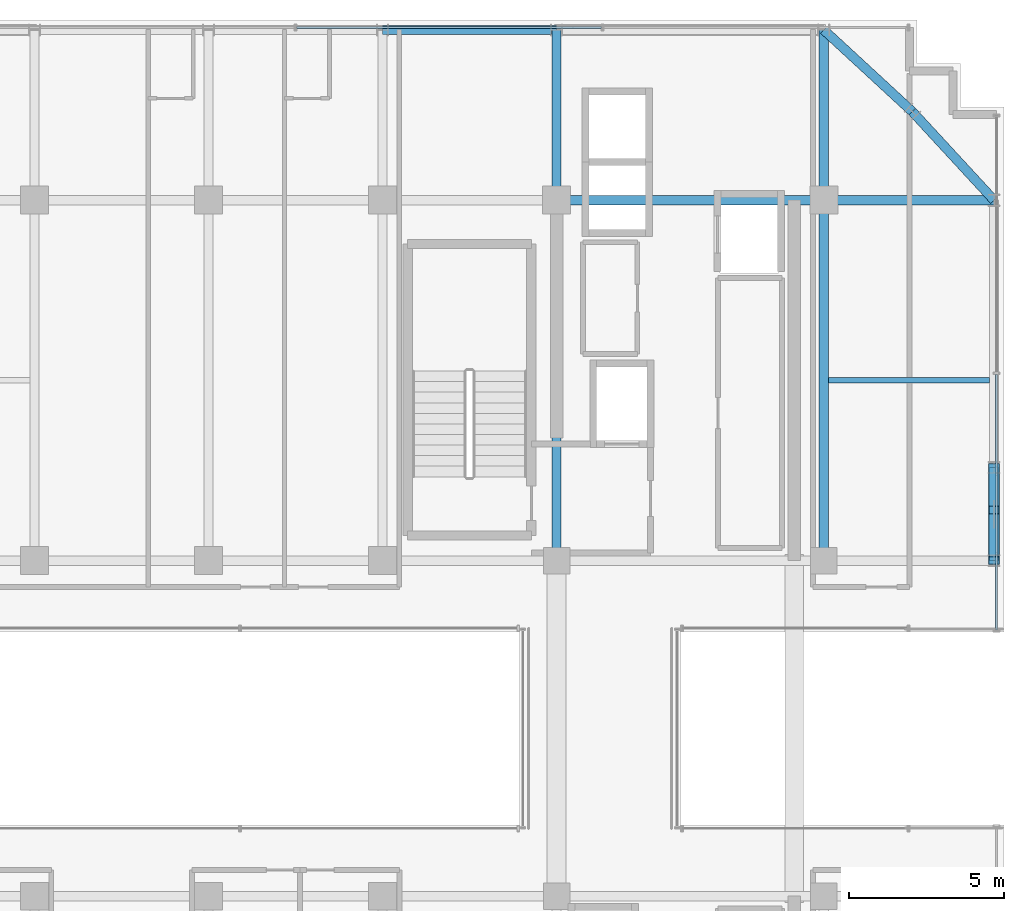
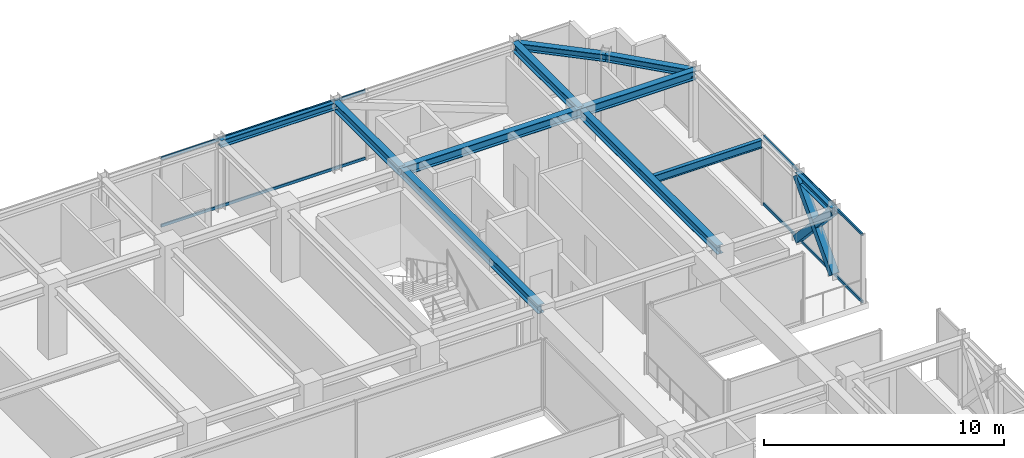
# One storey, part 26 of 37: 11 beams, 7 members, 2 elements without a shape of their own.
"""IFC4 building model written with IfcOpenShell, lengths in metres."""

import ifcopenshell
import ifcopenshell.guid

model = None  # the IFC model being written
_history = None  # IfcOwnerHistory: only IFC2X3 demands one
_inside = {}  # id of a spatial element -> (the spatial element, [elements in it])
_under = {}  # id of a project, library or spatial element -> (it, [spatial elements below it])
_declared = {}  # id of a project -> (the project, [libraries it declares])
_typed = {}  # id of a type object -> (the type object, [elements of that type])
_made_of = {}  # id of a material, layer set ... -> (it, [elements and type objects made of it])


def new_model(schema):
    """Start an empty IFC model of exactly this schema.

    Asked for "IFC4X3", IfcOpenShell would pick the latest addendum, in which some entities
    have other attributes; the version numbers below select the first issue.
    IFC2X3 requires an IfcOwnerHistory on every rooted entity: one is made here for all.
    """
    global model, _history
    if schema == "IFC4X3":
        model = ifcopenshell.file(schema_version=(4, 3, 0, 0))
    else:
        model = ifcopenshell.file(schema=schema)
    _inside.clear()
    _under.clear()
    _declared.clear()
    _typed.clear()
    _made_of.clear()
    _history = None
    if model.schema == "IFC2X3":
        org = make("IfcOrganization", Name="unknown")
        user = make(
            "IfcPersonAndOrganization",
            ThePerson=make("IfcPerson", FamilyName="unknown"),
            TheOrganization=org,
        )
        app = make(
            "IfcApplication",
            ApplicationDeveloper=org,
            Version="unknown",
            ApplicationFullName="unknown",
            ApplicationIdentifier="unknown",
        )
        _history = make(
            "IfcOwnerHistory",
            OwningUser=user,
            OwningApplication=app,
            ChangeAction="ADDED",
            CreationDate=0,
        )
    return model


def make(cls, **values):
    """One entity of the class cls with the attributes given. An attribute that is None is left unset."""
    return model.create_entity(
        cls, **{name: value for name, value in values.items() if value is not None}
    )


def rooted(cls, **values):
    """An entity with a GlobalId (a new one), such as an element, a storey or a relation."""
    return make(cls, GlobalId=ifcopenshell.guid.new(), OwnerHistory=_history, **values)


def si_unit(unit_type, name, prefix=None):
    """IfcSIUnit, for example si_unit("LENGTHUNIT", "METRE", prefix="MILLI")."""
    return make("IfcSIUnit", UnitType=unit_type, Prefix=prefix, Name=name)


def assignment(units):
    """IfcUnitAssignment: the units of a project."""
    return None if units is None else make("IfcUnitAssignment", Units=units)


def point(xyz):
    """IfcCartesianPoint."""
    return None if xyz is None else make("IfcCartesianPoint", Coordinates=xyz)


def direction(xyz):
    """IfcDirection."""
    return None if xyz is None else make("IfcDirection", DirectionRatios=xyz)


def frame(location, z_axis=None, x_axis=None):
    """IfcAxis2Placement3D, a coordinate frame: its origin and axes. An axis left out is left unset."""
    return make(
        "IfcAxis2Placement3D",
        Location=point(location),
        Axis=direction(z_axis),
        RefDirection=direction(x_axis),
    )


def frame_2d(location, x_axis=None):
    """IfcAxis2Placement2D, a coordinate frame in the plane: its origin and x axis."""
    return make(
        "IfcAxis2Placement2D", Location=point(location), RefDirection=direction(x_axis)
    )


def origin():
    """The frame at (0, 0, 0) with its axes left unset."""
    return frame((0.0, 0.0, 0.0))


def origin_2d():
    """The frame at (0, 0) in the plane with its x axis left unset."""
    return frame_2d((0.0, 0.0))


def place(relative_to, where):
    """IfcLocalPlacement: puts the frame where relative to a parent placement (None: the world)."""
    return make(
        "IfcLocalPlacement", PlacementRelTo=relative_to, RelativePlacement=where
    )


def context(
    kind, dimensions, precision=None, world=None, true_north=None, identifier=None
):
    """IfcGeometricRepresentationContext, for example the 3D "Model" context."""
    return make(
        "IfcGeometricRepresentationContext",
        ContextIdentifier=identifier,
        ContextType=kind,
        CoordinateSpaceDimension=dimensions,
        Precision=precision,
        WorldCoordinateSystem=world,
        TrueNorth=true_north,
    )


def subcontext(parent, identifier, kind, view, scale=None):
    """IfcGeometricRepresentationSubContext, for example "Body" below "Model"."""
    return make(
        "IfcGeometricRepresentationSubContext",
        ContextIdentifier=identifier,
        ContextType=kind,
        ParentContext=parent,
        TargetScale=scale,
        TargetView=view,
    )


def project(units=None, contexts=None):
    """IfcProject with its units and contexts."""
    return rooted(
        "IfcProject",
        Name="project",
        RepresentationContexts=contexts,
        UnitsInContext=assignment(units),
    )


def spatial(cls, under=None, at=None, **own):
    """A site, building, storey or space (cls), placed at a placement, below another one or the project."""
    s = rooted(cls, ObjectPlacement=at, **own)
    if under is not None:
        _under.setdefault(under.id(), (under, []))[1].append(s)
    return s


def profile(cls, at=None, kind="AREA", **sizes):
    """A parametric profile (cls). Its sizes go by their IFC names, for example OverallWidth=200.0."""
    return make(cls, ProfileType=kind, Position=at, **sizes)


def hollow_rectangle(**sizes):
    """IfcRectangleHollowProfileDef."""
    return profile("IfcRectangleHollowProfileDef", **sizes)


def i_section(**sizes):
    """IfcIShapeProfileDef."""
    return profile("IfcIShapeProfileDef", **sizes)


def extrude(swept, where, along, depth):
    """IfcExtrudedAreaSolid: the profile swept, set in the frame where, extruded along a direction by depth."""
    return make(
        "IfcExtrudedAreaSolid",
        SweptArea=swept,
        Position=where,
        ExtrudedDirection=direction(along),
        Depth=depth,
    )


def shape(context_of_items, identifier, shape_type, items):
    """IfcShapeRepresentation: the items that make up one representation, for example the "Body"."""
    return make(
        "IfcShapeRepresentation",
        ContextOfItems=context_of_items,
        RepresentationIdentifier=identifier,
        RepresentationType=shape_type,
        Items=items,
    )


def source(mapping_origin, context_of_items, identifier, shape_type, items):
    """IfcRepresentationMap: a shape defined once, which mapped items show again and again."""
    return make(
        "IfcRepresentationMap",
        MappingOrigin=mapping_origin,
        MappedRepresentation=shape(context_of_items, identifier, shape_type, items),
    )


def transform(
    local_origin,
    x_axis=None,
    y_axis=None,
    z_axis=None,
    scale=None,
    scale2=None,
    scale3=None,
    uniform=True,
):
    """IfcCartesianTransformationOperator3D, or its non-uniform kind. x_axis, y_axis, z_axis: its Axis1, 2, 3."""
    if uniform:
        return make(
            "IfcCartesianTransformationOperator3D",
            Axis1=direction(x_axis),
            Axis2=direction(y_axis),
            LocalOrigin=point(local_origin),
            Scale=scale,
            Axis3=direction(z_axis),
        )
    return make(
        "IfcCartesianTransformationOperator3DnonUniform",
        Axis1=direction(x_axis),
        Axis2=direction(y_axis),
        LocalOrigin=point(local_origin),
        Scale=scale,
        Axis3=direction(z_axis),
        Scale2=scale2,
        Scale3=scale3,
    )


def mapped(mapping_source, mapping_target):
    """IfcMappedItem: shows the shape of a source again, moved by a transform."""
    return make(
        "IfcMappedItem", MappingSource=mapping_source, MappingTarget=mapping_target
    )


def material(Name=None, Category=None):
    """IfcMaterial."""
    return make("IfcMaterial", Name=Name, Category=Category)


def material_profile(
    of_material, cross_section, Name=None, Category=None, Priority=None
):
    """IfcMaterialProfile: a cross section and its material."""
    return make(
        "IfcMaterialProfile",
        Name=Name,
        Material=of_material,
        Profile=cross_section,
        Priority=Priority,
        Category=Category,
    )


def profile_set(profiles, Name=None, composite=None):
    """IfcMaterialProfileSet."""
    return make(
        "IfcMaterialProfileSet",
        Name=Name,
        MaterialProfiles=profiles,
        CompositeProfile=composite,
    )


def made_of(thing, what):
    """Note that an element or type object is made of a material, layer set ...; save() writes the relation."""
    if what is not None:
        _made_of.setdefault(what.id(), (what, []))[1].append(thing)
    return thing


def type_object(cls, material=None, **own):
    """A type object (cls), such as IfcWallType, which elements share."""
    return made_of(rooted(cls, **own), material)


def element(
    cls,
    number,
    at=None,
    inside=None,
    cuts=None,
    type_object=None,
    material=None,
    context=None,
    identifier="Body",
    shape_type=None,
    held_by="IfcProductDefinitionShape",
    body=None,
    shapes=None,
    **own,
):
    """One element of the class cls, such as IfcWall. Its Tag is "e" and its number.

    at: its placement. inside: the storey or other place that contains it. cuts: it is an
    opening in that element (IfcRelVoidsElement). A single representation is given by context,
    identifier, shape_type and body (its items); several are given by shapes. held_by: the class
    of the entity that holds the representations. save() writes the other relations.
    """
    e = rooted(cls, Tag="e%d" % number, ObjectPlacement=at, **own)
    if body is not None:
        shapes = [shape(context, identifier, shape_type, body)]
    if shapes is not None:
        e.Representation = make(held_by, Representations=shapes)
    if inside is not None:
        _inside.setdefault(inside.id(), (inside, []))[1].append(e)
    if cuts is not None:
        rooted(
            "IfcRelVoidsElement", RelatingBuildingElement=cuts, RelatedOpeningElement=e
        )
    if type_object is not None:
        _typed.setdefault(type_object.id(), (type_object, []))[1].append(e)
    return made_of(e, material)


def aggregate(whole, parts):
    """IfcRelAggregates: a whole, such as a stair, and the parts it consists of."""
    return rooted("IfcRelAggregates", RelatingObject=whole, RelatedObjects=parts)


def save(model, path):
    """Write the relations noted so far, then the file.

    IfcRelAggregates (storeys below a building ...), IfcRelContainedInSpatialStructure (elements
    in a storey), IfcRelDefinesByType, IfcRelAssociatesMaterial and IfcRelDeclares: one each for
    every whole, place, type object, material and project.
    """
    for whole, parts in _under.values():
        aggregate(whole, parts)
    for where, things in _inside.values():
        rooted(
            "IfcRelContainedInSpatialStructure",
            RelatedElements=things,
            RelatingStructure=where,
        )
    for kind, things in _typed.values():
        rooted("IfcRelDefinesByType", RelatedObjects=things, RelatingType=kind)
    for what, things in _made_of.values():
        rooted("IfcRelAssociatesMaterial", RelatedObjects=things, RelatingMaterial=what)
    for by, libraries in _declared.values():
        rooted("IfcRelDeclares", RelatingContext=by, RelatedDefinitions=libraries)
    model.write(path)


model = new_model("IFC4")

# Units and contexts
model_context = context("Model", 3, precision=1e-05, world=origin(), true_north=direction((0.0, 1.0)))
body_context = subcontext(model_context, "Body", "Model", "MODEL_VIEW")
ifc_project = project(units=[si_unit("LENGTHUNIT", "METRE"), si_unit("AREAUNIT", "SQUARE_METRE"), si_unit("VOLUMEUNIT", "CUBIC_METRE"), si_unit("PLANEANGLEUNIT", "RADIAN"), si_unit("MASSUNIT", "GRAM", prefix="KILO")], contexts=[model_context])

# Site, building, storey
site_placement = place(None, origin())
site = spatial("IfcSite", under=ifc_project, at=site_placement, CompositionType="ELEMENT")
building_placement = place(site_placement, origin())
building = spatial("IfcBuilding", under=site, at=building_placement, Name="Nahalor Promenade Grand Hotel", CompositionType="ELEMENT")
storey_placement = place(building_placement, frame((0.0, 0.0, 308.050048828125)))
storey = spatial("IfcBuildingStorey", under=building, at=storey_placement, Name="L79", CompositionType="ELEMENT", Elevation=308.050048828125)

# Beams
ifc_material_1 = material(Name="Steel S355JR", Category="steel")
ifc_material_profile_1 = material_profile(ifc_material_1, i_section(OverallWidth=0.3, OverallDepth=0.45, WebThickness=0.014, FlangeThickness=0.026, at=origin_2d()), Name="HEB 450")
ifc_profile_set_1 = profile_set([ifc_material_profile_1], Name="Steel S355JR")
beam_type_1 = type_object("IfcBeamType", Name="Beam-Girder-HEB450", PredefinedType="BEAM", material=ifc_profile_set_1)
shared_shape_1 = source(origin(), body_context, "Body", "SweptSolid", [
    extrude(i_section(OverallWidth=0.3, OverallDepth=0.45, WebThickness=0.014, FlangeThickness=0.026, at=origin_2d()), origin(), (0.0, 0.0, 1.0), 8.60009765625),
])
beam_1_placement = place(storey_placement, frame((8.39990234375, 17.0, 3.324951171875), z_axis=(1.0, 0.0, 0.0), x_axis=(0.0, 1.0, 0.0)))
element("IfcBeam", 1, at=beam_1_placement, inside=storey, type_object=beam_type_1, Name="BM-L79-GX-3-5", PredefinedType="BEAM", context=body_context, shape_type="MappedRepresentation", body=[
    mapped(shared_shape_1, transform((0.0, 0.0, 0.0), scale=1.0)),
])
shared_shape_2 = source(origin(), body_context, "Body", "SweptSolid", [
    extrude(i_section(OverallWidth=0.3, OverallDepth=0.45, WebThickness=0.014, FlangeThickness=0.026, at=origin_2d()), origin(), (0.0, 0.0, 1.0), 11.60009765625),
])
for number, where, z_axis, x_axis, name in (
    (2, (8.39990234375, 5.39990234375, 3.324951171875), (0.0, 1.0, 0.0), (-1.0, 0.0, 0.0), "BM-L79-GY-4-3"),
    (3, (17.0, 5.39990234375, 3.324951171875), (0.0, 1.0, 0.0), (-1.0, 0.0, 0.0), "BM-L79-GY-5-3"),
):
    element("IfcBeam", number, at=place(storey_placement, frame(where, z_axis=z_axis, x_axis=x_axis)), inside=storey, type_object=beam_type_1, Name=name, PredefinedType="BEAM", context=body_context, shape_type="MappedRepresentation", body=[
        mapped(shared_shape_2, transform((0.0, 0.0, 0.0), scale=1.0)),
    ])
shared_shape_3 = source(origin(), body_context, "Body", "SweptSolid", [
    extrude(i_section(OverallWidth=0.3, OverallDepth=0.45, WebThickness=0.014, FlangeThickness=0.026, at=origin_2d()), origin(), (0.0, 0.0, 1.0), 5.47998046875),
])
for number, where, z_axis, x_axis, name in (
    (4, (17.0, 17.0, 3.324951171875), (1.0, 0.0, 0.0), (0.0, 1.0, 0.0), "BM-L79-GX-3-6"),
    (5, (8.39990234375, 17.0, 3.324951171875), (0.0, 1.0, 0.0), (-1.0, 0.0, 0.0), "BM-L79-GY-4-4"),
    (6, (17.0, 17.0, 3.324951171875), (0.0, 1.0, 0.0), (-1.0, 0.0, 0.0), "BM-L79-GY-5-4"),
):
    element("IfcBeam", number, at=place(storey_placement, frame(where, z_axis=z_axis, x_axis=x_axis)), inside=storey, type_object=beam_type_1, Name=name, PredefinedType="BEAM", context=body_context, shape_type="MappedRepresentation", body=[
        mapped(shared_shape_3, transform((0.0, 0.0, 0.0), scale=1.0)),
    ])
ifc_material_profile_2 = material_profile(ifc_material_1, i_section(OverallWidth=0.18, OverallDepth=0.4, WebThickness=0.0086, FlangeThickness=0.0135, at=origin_2d()), Name="IPE 400")
ifc_profile_set_2 = profile_set([ifc_material_profile_2], Name="Steel S355JR")
beam_type_2 = type_object("IfcBeamType", Name="Beam-Joist-IPE400", PredefinedType="JOIST", material=ifc_profile_set_2)
shared_shape_4 = source(origin(), body_context, "Body", "SweptSolid", [
    extrude(i_section(OverallWidth=0.18, OverallDepth=0.4, WebThickness=0.0086, FlangeThickness=0.0135, at=origin_2d()), origin(), (0.0, 0.0, 1.0), 5.18017578125),
])
beam_2_placement = place(storey_placement, frame((17.14990234375, 11.199951171875, 3.349853515625), z_axis=(1.0, 0.0, 0.0), x_axis=(0.0, 1.0, 0.0)))
element("IfcBeam", 7, at=beam_2_placement, inside=storey, type_object=beam_type_2, Name="BM-L79-JSE-1-2", PredefinedType="JOIST", context=body_context, shape_type="MappedRepresentation", body=[
    mapped(shared_shape_4, transform((0.0, 0.0, 0.0), scale=1.0)),
])
ifc_material_profile_3 = material_profile(ifc_material_1, i_section(OverallWidth=0.3, OverallDepth=0.36, WebThickness=0.0125, FlangeThickness=0.0225, at=origin_2d()), Name="HEB 360")
ifc_profile_set_3 = profile_set([ifc_material_profile_3], Name="Steel S355JR")
beam_type_3 = type_object("IfcBeamType", Name="Beam-Spandrel-HEB360", PredefinedType="SPANDREL", material=ifc_profile_set_3)
shared_shape_5 = source(origin(), body_context, "Body", "SweptSolid", [
    extrude(i_section(OverallWidth=0.3, OverallDepth=0.36, WebThickness=0.0125, FlangeThickness=0.0225, at=origin_2d()), origin(), (0.0, 0.0, 1.0), 5.599853515625),
])
beam_3_placement = place(storey_placement, frame((2.800048828125, 22.47998046875, 3.369873046875), z_axis=(1.0, 0.0, 0.0), x_axis=(0.0, 1.0, 0.0)))
element("IfcBeam", 8, at=beam_3_placement, inside=storey, type_object=beam_type_3, Name="BM-L79-SP-N-3", PredefinedType="SPANDREL", context=body_context, shape_type="MappedRepresentation", body=[
    mapped(shared_shape_5, transform((0.0, 0.0, 0.0), scale=1.0)),
])
shared_shape_6 = source(origin(), body_context, "Body", "SweptSolid", [
    extrude(i_section(OverallWidth=0.3, OverallDepth=0.36, WebThickness=0.0125, FlangeThickness=0.0225, at=origin_2d()), origin(), (0.0, 0.0, 1.0), 3.0),
])
beam_4_placement = place(storey_placement, frame((22.47998046875, 5.39990234375, 3.369873046875), z_axis=(0.0, 1.0, 0.0), x_axis=(-1.0, 0.0, 0.0)))
element("IfcBeam", 9, at=beam_4_placement, inside=storey, type_object=beam_type_3, Name="BM-L79-SP-E-3", PredefinedType="SPANDREL", context=body_context, shape_type="MappedRepresentation", body=[
    mapped(shared_shape_6, transform((0.0, 0.0, 0.0), scale=1.0)),
])
shared_shape_7 = source(origin(), body_context, "Body", "SweptSolid", [
    extrude(i_section(OverallWidth=0.3, OverallDepth=0.36, WebThickness=0.0125, FlangeThickness=0.0225, at=origin_2d()), origin(), (0.0, 0.0, 1.0), 3.878173828125),
])
for number, where, z_axis, x_axis, name in (
    (10, (17.0, 22.47998046875, 3.369873046875), (0.73492893846, -0.678144125843, 0.0), (0.678144125843, 0.73492893846, 0.0), "BM-L79-SPC-NE-1"),
    (11, (19.85009765625, 19.85009765625, 3.369873046875), (0.678144125843, -0.73492893846, 0.0), (0.73492893846, 0.678144125843, 0.0), "BM-L79-SPC-NE-2"),
):
    element("IfcBeam", number, at=place(storey_placement, frame(where, z_axis=z_axis, x_axis=x_axis)), inside=storey, type_object=beam_type_3, Name=name, PredefinedType="SPANDREL", context=body_context, shape_type="MappedRepresentation", body=[
        mapped(shared_shape_7, transform((0.0, 0.0, 0.0), scale=1.0)),
    ])

# Members
ifc_material_profile_4 = material_profile(ifc_material_1, hollow_rectangle(XDim=0.35, YDim=0.35, WallThickness=0.02, at=origin_2d()), Name="SHS 350x350x20")
ifc_profile_set_4 = profile_set([ifc_material_profile_4], Name="Steel S355JR")
member_type_1 = type_object("IfcMemberType", Name="Mem-VoidBrace-SHS350", PredefinedType="BRACE", material=ifc_profile_set_4)
shared_shape_8 = source(origin(), body_context, "Body", "SweptSolid", [
    extrude(hollow_rectangle(XDim=0.35, YDim=0.35, WallThickness=0.02, at=origin_2d()), origin(), (0.0, 0.0, 1.0), 4.4228515625),
])
member_1_placement = place(storey_placement, frame((22.47998046875, 5.39990234375, 0.14990234375), z_axis=(0.0, 0.678280102733, 0.734803444627), x_axis=(-1.0, 0.0, 0.0)))
element("IfcMember", 12, at=member_1_placement, inside=storey, type_object=member_type_1, Name="EXO-L79-VX1-E1", PredefinedType="BRACE", context=body_context, shape_type="MappedRepresentation", body=[
    mapped(shared_shape_8, transform((0.0, 0.0, 0.0), scale=1.0)),
])
shared_shape_9 = source(origin(), body_context, "Body", "SweptSolid", [
    extrude(hollow_rectangle(XDim=0.35, YDim=0.35, WallThickness=0.02, at=origin_2d()), origin(), (0.0, 0.0, 1.0), 2.02392578125),
])
for number, where, z_axis, x_axis, name in (
    (13, (22.47998046875, 8.39990234375, 0.14990234375), (0.0, -0.678255053132, 0.734826566545), (1.0, 0.0, 0.0), "EXO-L79-VX2-E1A"),
    (14, (22.47998046875, 6.772705078125, 1.912841796875), (0.0, -0.678315173958, 0.734771069639), (1.0, 0.0, 0.0), "EXO-L79-VX2-E1B"),
):
    element("IfcMember", number, at=place(storey_placement, frame(where, z_axis=z_axis, x_axis=x_axis)), inside=storey, type_object=member_type_1, Name=name, PredefinedType="BRACE", context=body_context, shape_type="MappedRepresentation", body=[
        mapped(shared_shape_9, transform((0.0, 0.0, 0.0), scale=1.0)),
    ])

# Curtain wall, members
ifc_material_2 = material(Name="Anodised Bronze Aluminium EN AW-6063 T6", Category="aluminium")
curtain_wall_type = type_object("IfcCurtainWallType", Name="CW3 Elliptical-Void Collar Unitised Curtain Wall", PredefinedType="USERDEFINED", material=ifc_material_2)
curtain_wall_1_placement = place(storey_placement, origin())
curtain_wall_1 = element("IfcCurtainWall", 15, at=curtain_wall_1_placement, inside=storey, type_object=curtain_wall_type, Name="L79 Curtain Wall CW-L79-N-1", ObjectType="UNITISED_CURTAIN_WALL", PredefinedType="USERDEFINED")
ifc_material_profile_5 = material_profile(ifc_material_2, hollow_rectangle(XDim=0.07, YDim=0.14, WallThickness=0.004, at=origin_2d()), Name="CWT 70x140x4")
ifc_profile_set_5 = profile_set([ifc_material_profile_5], Name="Anodised Bronze Aluminium EN AW-6063 T6")
member_type_2 = type_object("IfcMemberType", Name="CWT3 Void Collar Transom 70x140", PredefinedType="USERDEFINED", material=ifc_profile_set_5)
shared_shape_10 = source(origin(), body_context, "Body", "SweptSolid", [
    extrude(hollow_rectangle(XDim=0.07, YDim=0.14, WallThickness=0.004, at=origin_2d()), origin(), (0.0, 0.0, 1.0), 9.81005859375),
])
member_2_placement = place(storey_placement, frame((0.034912109375, 22.56005859375, 0.070068359375), z_axis=(1.0, 0.0, 0.0), x_axis=(0.0, 1.0, 0.0)))
member_2 = element("IfcMember", 16, at=member_2_placement, type_object=member_type_2, Name="CW-L79-N-1 Transom 2-0", ObjectType="TRANSOM", PredefinedType="USERDEFINED", context=body_context, shape_type="MappedRepresentation", body=[
    mapped(shared_shape_10, transform((0.0, 0.0, 0.0), scale=1.0)),
])
member_3_placement = place(storey_placement, frame((0.034912109375, 22.56005859375, 3.47998046875), z_axis=(1.0, 0.0, 0.0), x_axis=(0.0, 1.0, 0.0)))
member_3 = element("IfcMember", 17, at=member_3_placement, type_object=member_type_2, Name="CW-L79-N-1 Transom 2-1", ObjectType="TRANSOM", PredefinedType="USERDEFINED", context=body_context, shape_type="MappedRepresentation", body=[
    mapped(shared_shape_10, transform((0.0, 0.0, 0.0), scale=1.0)),
])
aggregate(curtain_wall_1, [member_2, member_3])

curtain_wall_2_placement = place(storey_placement, origin())
curtain_wall_2 = element("IfcCurtainWall", 18, at=curtain_wall_2_placement, inside=storey, type_object=curtain_wall_type, Name="L79 Curtain Wall CW-L79-E-2", ObjectType="UNITISED_CURTAIN_WALL", PredefinedType="USERDEFINED")
shared_shape_11 = source(origin(), body_context, "Body", "SweptSolid", [
    extrude(hollow_rectangle(XDim=0.07, YDim=0.14, WallThickness=0.004, at=origin_2d()), origin(), (0.0, 0.0, 1.0), 8.22509765625),
])
member_4_placement = place(storey_placement, frame((22.56005859375, 3.169921875, 0.070068359375), z_axis=(0.0, 1.0, 0.0), x_axis=(-1.0, 0.0, 0.0)))
member_4 = element("IfcMember", 19, at=member_4_placement, type_object=member_type_2, Name="CW-L79-E-2 Transom 0-0", ObjectType="TRANSOM", PredefinedType="USERDEFINED", context=body_context, shape_type="MappedRepresentation", body=[
    mapped(shared_shape_11, transform((0.0, 0.0, 0.0), scale=1.0)),
])
member_5_placement = place(storey_placement, frame((22.56005859375, 3.169921875, 3.47998046875), z_axis=(0.0, 1.0, 0.0), x_axis=(-1.0, 0.0, 0.0)))
member_5 = element("IfcMember", 20, at=member_5_placement, type_object=member_type_2, Name="CW-L79-E-2 Transom 0-1", ObjectType="TRANSOM", PredefinedType="USERDEFINED", context=body_context, shape_type="MappedRepresentation", body=[
    mapped(shared_shape_11, transform((0.0, 0.0, 0.0), scale=1.0)),
])
aggregate(curtain_wall_2, [member_4, member_5])

save(model, "model.ifc")
